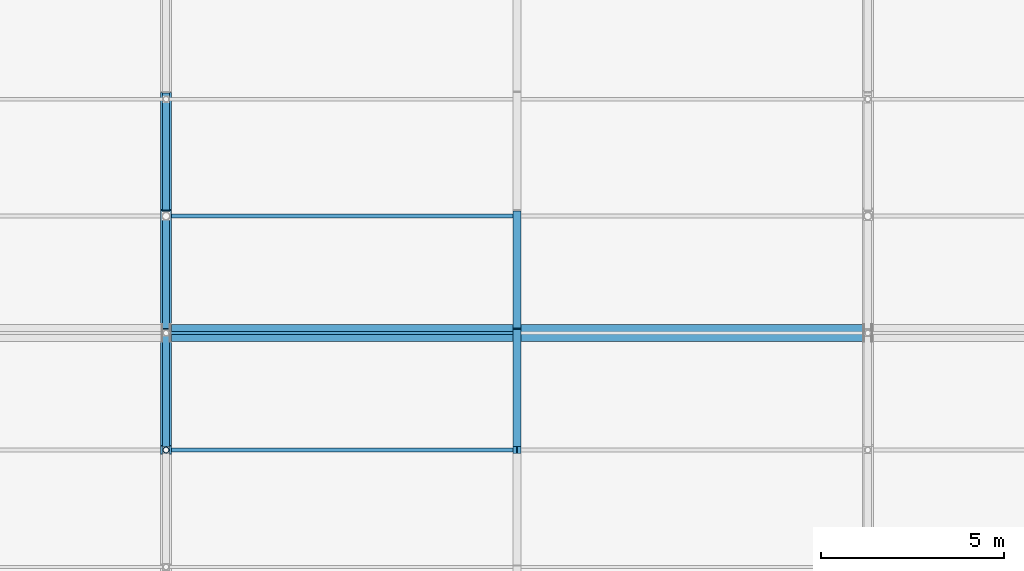
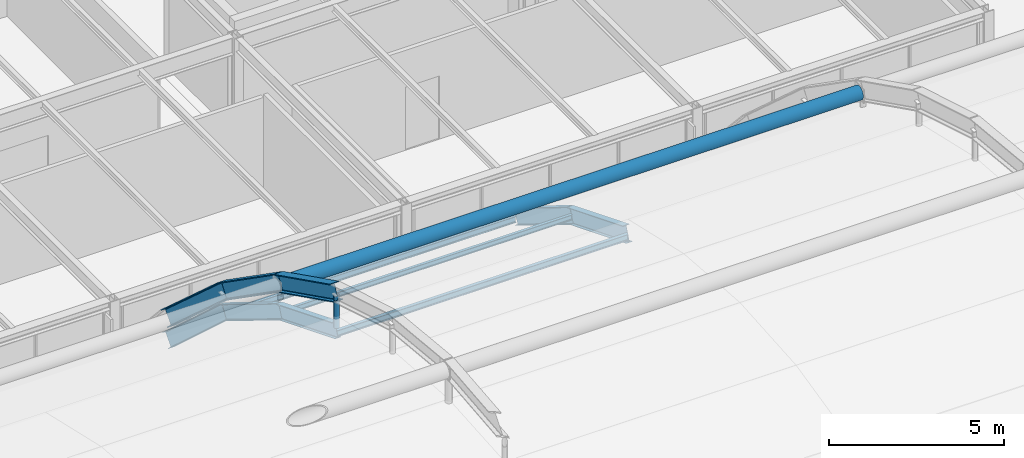
# One storey, part 77 of 126: 8 beams, 5 members.
"""IFC4 building model written with IfcOpenShell, lengths in metres."""

from ifc_helpers import new_model, si_unit, direction, frame, origin, origin_2d, place, context, subcontext, project, spatial, hollow_circle, i_section, extrude, material, material_profile, profile_set, type_object, element, save


model = new_model("IFC4")

# Units and contexts
model_context = context("Model", 3, precision=1e-05, world=origin(), true_north=direction((0.0, 1.0)))
body_context = subcontext(model_context, "Body", "Model", "MODEL_VIEW")
ifc_project = project(units=[si_unit("LENGTHUNIT", "METRE"), si_unit("AREAUNIT", "SQUARE_METRE"), si_unit("VOLUMEUNIT", "CUBIC_METRE"), si_unit("PLANEANGLEUNIT", "RADIAN"), si_unit("MASSUNIT", "GRAM", prefix="KILO")], contexts=[model_context])

# Site, building, storey
site_placement = place(None, origin())
site = spatial("IfcSite", under=ifc_project, at=site_placement, CompositionType="ELEMENT")
building_placement = place(site_placement, origin())
building = spatial("IfcBuilding", under=site, at=building_placement, Name="Coralgate Yard Interchange", CompositionType="ELEMENT")
storey_placement = place(building_placement, frame((0.0, 0.0, 10.5)))
storey = spatial("IfcBuildingStorey", under=building, at=storey_placement, Name="L02", CompositionType="ELEMENT", Elevation=10.5)

# Beams
ifc_material_1 = material(Name="Yellow-ochre weather-coated structural steel S355J2", Category="steel")
ifc_material_profile_1 = material_profile(ifc_material_1, i_section(OverallWidth=0.300048828125, OverallDepth=0.550048828125, WebThickness=0.014892578125, FlangeThickness=0.029052734375, FilletRadius=0.027099609375, at=origin_2d()), Name="HEB 550")
ifc_profile_set_1 = profile_set([ifc_material_profile_1], Name="Yellow-ochre weather-coated structural steel S355J2")
beam_type_1 = type_object("IfcBeamType", Name="BM-AR-2", PredefinedType="BEAM", material=ifc_profile_set_1)
beam_1_placement = place(storey_placement, frame((67.199951171875, 64.0, 11.922119140625), z_axis=(0.0, 0.894740986573, -0.446585453129), x_axis=(-1.0, 0.0, 0.0)))
element("IfcBeam", 1, at=beam_1_placement, inside=storey, type_object=beam_type_1, Name="Yellow-ochre overarching steel arch AR-2 chord 10", PredefinedType="BEAM", context=body_context, shape_type="SweptSolid", body=[
    extrude(i_section(OverallWidth=0.300048828125, OverallDepth=0.550048828125, WebThickness=0.014892578125, FlangeThickness=0.029052734375, FilletRadius=0.027099609375, at=origin_2d()), origin(), (0.0, 0.0, 1.0), 3.576416015625),
])
beam_2_placement = place(storey_placement, frame((67.199951171875, 67.199951171875, 10.324951171875), z_axis=(0.0, 0.819698802508, -0.572794791498), x_axis=(-1.0, 0.0, 0.0)))
element("IfcBeam", 2, at=beam_2_placement, inside=storey, type_object=beam_type_1, Name="Yellow-ochre overarching steel arch AR-2 chord 11", PredefinedType="BEAM", context=body_context, shape_type="SweptSolid", body=[
    extrude(i_section(OverallWidth=0.300048828125, OverallDepth=0.550048828125, WebThickness=0.014892578125, FlangeThickness=0.029052734375, FilletRadius=0.027099609375, at=origin_2d()), origin(), (0.0, 0.0, 1.0), 3.90380859375),
])
beam_3_placement = place(storey_placement, frame((67.199951171875, 70.39990234375, 8.0888671875), z_axis=(0.0, 0.743892086075, -0.668299756303), x_axis=(-1.0, 0.0, 0.0)))
element("IfcBeam", 3, at=beam_3_placement, inside=storey, type_object=beam_type_1, Name="Yellow-ochre overarching steel arch AR-2 chord 12", PredefinedType="BEAM", context=body_context, shape_type="SweptSolid", body=[
    extrude(i_section(OverallWidth=0.300048828125, OverallDepth=0.550048828125, WebThickness=0.014892578125, FlangeThickness=0.029052734375, FilletRadius=0.027099609375, at=origin_2d()), origin(), (0.0, 0.0, 1.0), 4.302001953125),
])
ifc_material_2 = material(Name="Weather-coated structural steel S355J2", Category="steel")
ifc_material_profile_2 = material_profile(ifc_material_2, i_section(OverallWidth=0.209228515625, OverallDepth=0.533203125, WebThickness=0.010009765625, FlangeThickness=0.015625, FilletRadius=0.0126953125, at=origin_2d()), Name="UB 533x210x92")
ifc_profile_set_2 = profile_set([ifc_material_profile_2], Name="Weather-coated structural steel S355J2")
beam_type_2 = type_object("IfcBeamType", Name="BM-VR-1", PredefinedType="BEAM", material=ifc_profile_set_2)
beam_4_placement = place(storey_placement, frame((76.800048828125, 64.0, 10.58349609375), z_axis=(0.0, 0.927713244188, -0.373293633161), x_axis=(-1.0, 0.0, 0.0)))
element("IfcBeam", 4, at=beam_4_placement, inside=storey, type_object=beam_type_2, Name="Barrel-vault gridshell rib 5 seg 9", PredefinedType="BEAM", context=body_context, shape_type="SweptSolid", body=[
    extrude(i_section(OverallWidth=0.209228515625, OverallDepth=0.533203125, WebThickness=0.010009765625, FlangeThickness=0.015625, FilletRadius=0.0126953125, at=origin_2d()), origin(), (0.0, 0.0, 1.0), 3.44921875),
])
beam_5_placement = place(storey_placement, frame((76.800048828125, 67.199951171875, 9.2958984375), z_axis=(0.0, 0.852378727212, -0.522924951973), x_axis=(-1.0, 0.0, 0.0)))
element("IfcBeam", 5, at=beam_5_placement, inside=storey, type_object=beam_type_2, Name="Barrel-vault gridshell rib 5 seg 10", PredefinedType="BEAM", context=body_context, shape_type="SweptSolid", body=[
    extrude(i_section(OverallWidth=0.209228515625, OverallDepth=0.533203125, WebThickness=0.010009765625, FlangeThickness=0.015625, FilletRadius=0.0126953125, at=origin_2d()), origin(), (0.0, 0.0, 1.0), 3.754150390625),
])
ifc_material_profile_3 = material_profile(ifc_material_2, i_section(OverallWidth=0.199951171875, OverallDepth=0.5, WebThickness=0.01025390625, FlangeThickness=0.01611328125, FilletRadius=0.02099609375, at=origin_2d()), Name="IPE 500")
ifc_profile_set_3 = profile_set([ifc_material_profile_3], Name="Weather-coated structural steel S355J2")
beam_type_3 = type_object("IfcBeamType", Name="BM-VR-2", PredefinedType="BEAM", material=ifc_profile_set_3)
beam_6_placement = place(storey_placement, frame((67.199951171875, 64.0, 10.60009765625), z_axis=(0.0, 0.927713244188, -0.373293633161), x_axis=(-1.0, 0.0, 0.0)))
element("IfcBeam", 6, at=beam_6_placement, inside=storey, type_object=beam_type_3, Name="Barrel-vault gridshell rib 4 seg 9", PredefinedType="BEAM", context=body_context, shape_type="SweptSolid", body=[
    extrude(i_section(OverallWidth=0.199951171875, OverallDepth=0.5, WebThickness=0.01025390625, FlangeThickness=0.01611328125, FilletRadius=0.02099609375, at=origin_2d()), origin(), (0.0, 0.0, 1.0), 3.44921875),
])
beam_7_placement = place(storey_placement, frame((67.199951171875, 67.199951171875, 9.3125), z_axis=(0.0, 0.852378727212, -0.522924951973), x_axis=(-1.0, 0.0, 0.0)))
element("IfcBeam", 7, at=beam_7_placement, inside=storey, type_object=beam_type_3, Name="Barrel-vault gridshell rib 4 seg 10", PredefinedType="BEAM", context=body_context, shape_type="SweptSolid", body=[
    extrude(i_section(OverallWidth=0.199951171875, OverallDepth=0.5, WebThickness=0.01025390625, FlangeThickness=0.01611328125, FilletRadius=0.02099609375, at=origin_2d()), origin(), (0.0, 0.0, 1.0), 3.754150390625),
])
beam_8_placement = place(storey_placement, frame((67.199951171875, 70.39990234375, 7.349365234375), z_axis=(0.0, 0.739500841068, -0.673155632867), x_axis=(-1.0, 0.0, 0.0)))
element("IfcBeam", 8, at=beam_8_placement, inside=storey, type_object=beam_type_3, Name="Barrel-vault gridshell rib 4 seg 11", PredefinedType="BEAM", context=body_context, shape_type="SweptSolid", body=[
    extrude(i_section(OverallWidth=0.199951171875, OverallDepth=0.5, WebThickness=0.01025390625, FlangeThickness=0.01611328125, FilletRadius=0.02099609375, at=origin_2d()), origin(), (0.0, 0.0, 1.0), 4.327392578125),
])

# Members
ifc_material_profile_4 = material_profile(ifc_material_1, hollow_circle(Radius=0.228515625, WallThickness=0.01611328125, at=origin_2d()), Name="CHS 457x16")
ifc_profile_set_4 = profile_set([ifc_material_profile_4], Name="Yellow-ochre weather-coated structural steel S355J2")
member_type_1 = type_object("IfcMemberType", Name="MB-GC-7", PredefinedType="CHORD", material=ifc_profile_set_4)
member_1_placement = place(storey_placement, frame((67.320068359375, 67.199951171875, 10.25), z_axis=(1.0, 0.0, 0.0), x_axis=(0.0, 1.0, 0.0)))
element("IfcMember", 9, at=member_1_placement, inside=storey, type_object=member_type_1, Name="Arch longitudinal tie strut 2-N", PredefinedType="CHORD", context=body_context, shape_type="SweptSolid", body=[
    extrude(hollow_circle(Radius=0.228515625, WallThickness=0.01611328125, at=origin_2d()), origin(), (0.0, 0.0, 1.0), 18.9599609375),
])
ifc_material_profile_5 = material_profile(ifc_material_1, hollow_circle(Radius=0.084228515625, WallThickness=0.008056640625, at=origin_2d()), Name="CHS 168.3x8")
ifc_profile_set_5 = profile_set([ifc_material_profile_5], Name="Yellow-ochre weather-coated structural steel S355J2")
member_type_2 = type_object("IfcMemberType", Name="MB-HG-2", PredefinedType="STRUT", material=ifc_profile_set_5)
member_2_placement = place(storey_placement, frame((67.199951171875, 64.0, 10.7001953125), z_axis=(0.0, 0.0, 1.0), x_axis=(1.0, 0.0, 0.0)))
element("IfcMember", 10, at=member_2_placement, inside=storey, type_object=member_type_2, Name="Arch AR-2 steel suspension hanger 8", PredefinedType="STRUT", context=body_context, shape_type="SweptSolid", body=[
    extrude(hollow_circle(Radius=0.084228515625, WallThickness=0.008056640625, at=origin_2d()), origin(), (0.0, 0.0, 1.0), 1.1220703125),
])
ifc_material_profile_6 = material_profile(ifc_material_2, i_section(OverallWidth=0.110107421875, OverallDepth=0.219970703125, WebThickness=0.005859375, FlangeThickness=0.00927734375, FilletRadius=0.011962890625, at=origin_2d()), Name="IPE 220")
ifc_profile_set_6 = profile_set([ifc_material_profile_6], Name="Weather-coated structural steel S355J2")
member_type_3 = type_object("IfcMemberType", Name="MB-PR-1", PredefinedType="PURLIN", material=ifc_profile_set_6)
for number, where, z_axis, x_axis, name in (
    (11, (67.201904296875, 64.0, 10.489990234375), (1.0, 0.0, 0.0), (0.0, 1.0, 0.0), "Barrel-vault gridshell purlin 4-9"),
    (12, (67.201904296875, 70.39990234375, 7.2392578125), (1.0, 0.0, 0.0), (0.0, 1.0, 0.0), "Barrel-vault gridshell purlin 4-11"),
):
    element("IfcMember", number, at=place(storey_placement, frame(where, z_axis=z_axis, x_axis=x_axis)), inside=storey, type_object=member_type_3, Name=name, PredefinedType="PURLIN", context=body_context, shape_type="SweptSolid", body=[
        extrude(i_section(OverallWidth=0.110107421875, OverallDepth=0.219970703125, WebThickness=0.005859375, FlangeThickness=0.00927734375, FilletRadius=0.011962890625, at=origin_2d()), origin(), (0.0, 0.0, 1.0), 9.59619140625),
    ])
ifc_material_3 = material(Name="Off-white architectural structural steel S355J2", Category="steel")
ifc_material_profile_7 = material_profile(ifc_material_3, i_section(OverallWidth=0.091064453125, OverallDepth=0.179931640625, WebThickness=0.00537109375, FlangeThickness=0.008056640625, FilletRadius=0.009033203125, at=origin_2d()), Name="IPE 180")
ifc_profile_set_7 = profile_set([ifc_material_profile_7], Name="Off-white architectural structural steel S355J2")
member_type_4 = type_object("IfcMemberType", Name="MB-PR-2", PredefinedType="PURLIN", material=ifc_profile_set_7)
member_3_placement = place(storey_placement, frame((67.201904296875, 67.199951171875, 9.242431640625), z_axis=(1.0, 0.0, 0.0), x_axis=(0.0, 1.0, 0.0)))
element("IfcMember", 13, at=member_3_placement, inside=storey, type_object=member_type_4, Name="Barrel-vault gridshell purlin 4-10", PredefinedType="PURLIN", context=body_context, shape_type="SweptSolid", body=[
    extrude(i_section(OverallWidth=0.091064453125, OverallDepth=0.179931640625, WebThickness=0.00537109375, FlangeThickness=0.008056640625, FilletRadius=0.009033203125, at=origin_2d()), origin(), (0.0, 0.0, 1.0), 9.59619140625),
])

save(model, "model.ifc")
